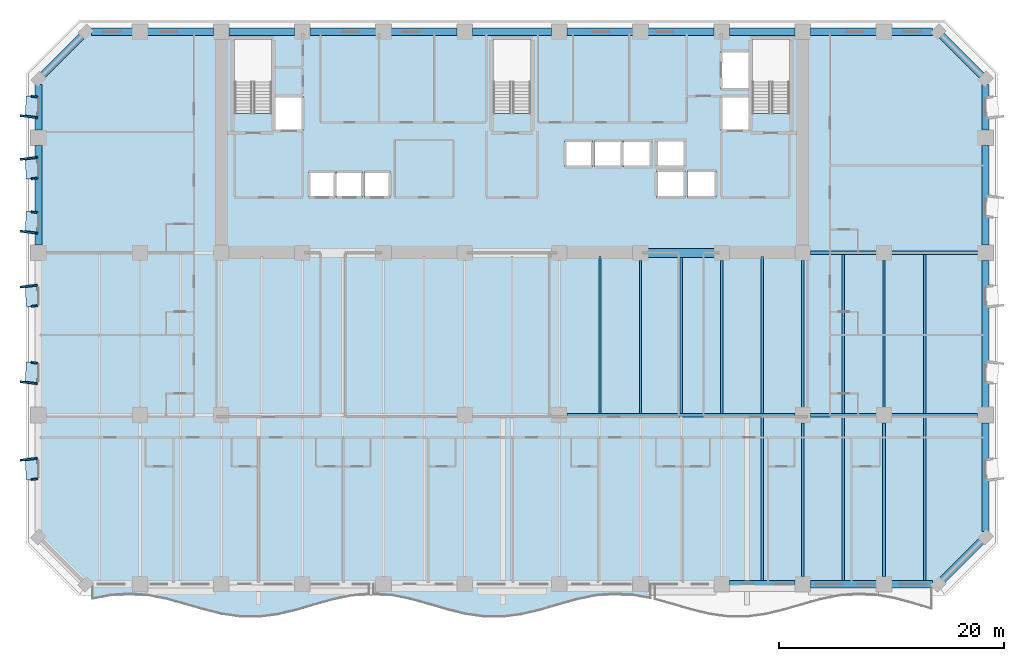
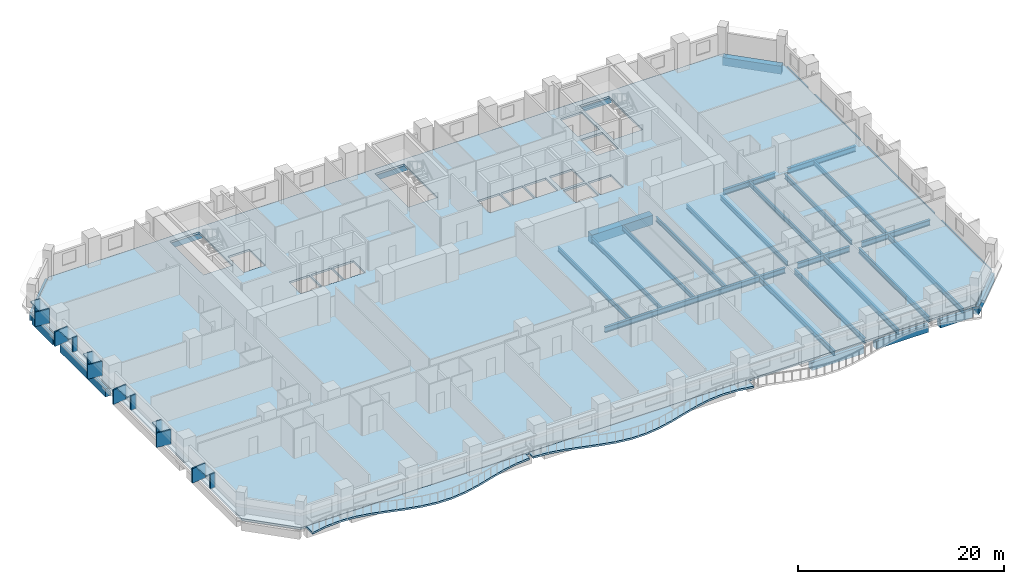
# One storey, part 2 of 15: 43 beams, 18 plates, 3 slabs.
"""IFC4 building model written with IfcOpenShell, lengths in metres."""

from ifc_helpers import new_model, si_unit, direction, frame, origin, origin_2d, place, context, subcontext, project, spatial, polyline, rectangle, i_section, outline, extrude, material, layer, layer_set, material_profile, profile_set, type_object, element, save


model = new_model("IFC4")

# Units and contexts
model_context = context("Model", 3, precision=1e-05, world=origin(), true_north=direction((0.0, 1.0)))
body_context = subcontext(model_context, "Body", "Model", "MODEL_VIEW")
ifc_project = project(units=[si_unit("LENGTHUNIT", "METRE"), si_unit("AREAUNIT", "SQUARE_METRE"), si_unit("VOLUMEUNIT", "CUBIC_METRE"), si_unit("PLANEANGLEUNIT", "RADIAN"), si_unit("MASSUNIT", "GRAM", prefix="KILO")], contexts=[model_context])

# Site, building, storey
site_placement = place(None, origin())
site = spatial("IfcSite", under=ifc_project, at=site_placement, CompositionType="ELEMENT")
building_placement = place(site_placement, origin())
building = spatial("IfcBuilding", under=site, at=building_placement, Name="Kaelvorn Grand Hotel", CompositionType="ELEMENT")
storey_placement = place(building_placement, frame((0.0, 0.0, 68.89990234375)))
storey = spatial("IfcBuildingStorey", under=building, at=storey_placement, Name="L15", CompositionType="ELEMENT", Elevation=68.89990234375)

# Beams
ifc_material_1 = material(Name="Steel S355", Category="steel")
ifc_material_profile_1 = material_profile(ifc_material_1, i_section(OverallWidth=0.300048828125, OverallDepth=0.64990234375, WebThickness=0.01611328125, FlangeThickness=0.031005859375, FilletRadius=0.027099609375, at=origin_2d()), Name="HEB 650")
ifc_profile_set_1 = profile_set([ifc_material_profile_1], Name="Steel S355")
beam_type_1 = type_object("IfcBeamType", Name="BM-G-HEB650-S355", PredefinedType="BEAM", material=ifc_profile_set_1)
beam_1_placement = place(storey_placement, frame((46.885009765625, 15.0, -0.56494140625), z_axis=(1.0, 0.0, 0.0), x_axis=(0.0, 1.0, 0.0)))
element("IfcBeam", 1, at=beam_1_placement, inside=storey, type_object=beam_type_1, Name="L15 Primary Spine Steel Girder G-15 05", PredefinedType="BEAM", context=body_context, shape_type="SweptSolid", body=[
    extrude(i_section(OverallWidth=0.300048828125, OverallDepth=0.64990234375, WebThickness=0.01611328125, FlangeThickness=0.031005859375, FilletRadius=0.027099609375, at=origin_2d()), origin(), (0.0, 0.0, 1.0), 20.22998046875),
])
beam_2_placement = place(storey_placement, frame((68.485107421875, 15.0, -0.56494140625), z_axis=(1.0, 0.0, 0.0), x_axis=(0.0, 1.0, 0.0)))
element("IfcBeam", 2, at=beam_2_placement, inside=storey, type_object=beam_type_1, Name="L15 Primary Spine Steel Girder G-15 06", PredefinedType="BEAM", context=body_context, shape_type="SweptSolid", body=[
    extrude(i_section(OverallWidth=0.300048828125, OverallDepth=0.64990234375, WebThickness=0.01611328125, FlangeThickness=0.031005859375, FilletRadius=0.027099609375, at=origin_2d()), origin(), (0.0, 0.0, 1.0), 5.829833984375),
])
beam_3_placement = place(storey_placement, frame((75.68505859375, 15.0, -0.56494140625), z_axis=(1.0, 0.0, 0.0), x_axis=(0.0, 1.0, 0.0)))
element("IfcBeam", 3, at=beam_3_placement, inside=storey, type_object=beam_type_1, Name="L15 Primary Spine Steel Girder G-15 07", PredefinedType="BEAM", context=body_context, shape_type="SweptSolid", body=[
    extrude(i_section(OverallWidth=0.300048828125, OverallDepth=0.64990234375, WebThickness=0.01611328125, FlangeThickness=0.031005859375, FilletRadius=0.027099609375, at=origin_2d()), origin(), (0.0, 0.0, 1.0), 7.6298828125),
])
beam_4_placement = place(storey_placement, frame((68.485107421875, 29.39990234375, -0.56494140625), z_axis=(1.0, 0.0, 0.0), x_axis=(0.0, 1.0, 0.0)))
element("IfcBeam", 4, at=beam_4_placement, inside=storey, type_object=beam_type_1, Name="L15 East Core Wing Steel Girder G-29E 01", PredefinedType="BEAM", context=body_context, shape_type="SweptSolid", body=[
    extrude(i_section(OverallWidth=0.300048828125, OverallDepth=0.64990234375, WebThickness=0.01611328125, FlangeThickness=0.031005859375, FilletRadius=0.027099609375, at=origin_2d()), origin(), (0.0, 0.0, 1.0), 5.829833984375),
])
beam_5_placement = place(storey_placement, frame((75.68505859375, 29.39990234375, -0.56494140625), z_axis=(1.0, 0.0, 0.0), x_axis=(0.0, 1.0, 0.0)))
element("IfcBeam", 5, at=beam_5_placement, inside=storey, type_object=beam_type_1, Name="L15 East Core Wing Steel Girder G-29E 02", PredefinedType="BEAM", context=body_context, shape_type="SweptSolid", body=[
    extrude(i_section(OverallWidth=0.300048828125, OverallDepth=0.64990234375, WebThickness=0.01611328125, FlangeThickness=0.031005859375, FilletRadius=0.027099609375, at=origin_2d()), origin(), (0.0, 0.0, 1.0), 7.6298828125),
])
ifc_material_profile_2 = material_profile(ifc_material_1, i_section(OverallWidth=0.209228515625, OverallDepth=0.533203125, WebThickness=0.010009765625, FlangeThickness=0.015625, FilletRadius=0.0126953125, at=origin_2d()), Name="UB 533x210x92")
ifc_profile_set_2 = profile_set([ifc_material_profile_2], Name="Steel S355")
beam_type_2 = type_object("IfcBeamType", Name="BM-J-UB533-S355", PredefinedType="JOIST", material=ifc_profile_set_2)
beam_6_placement = place(storey_placement, frame((49.800048828125, 15.135009765625, -0.50634765625), z_axis=(0.0, 1.0, 0.0), x_axis=(-1.0, 0.0, 0.0)))
element("IfcBeam", 6, at=beam_6_placement, inside=storey, type_object=beam_type_2, Name="L15 Composite Floor Joist JM-14", PredefinedType="JOIST", context=body_context, shape_type="SweptSolid", body=[
    extrude(i_section(OverallWidth=0.209228515625, OverallDepth=0.533203125, WebThickness=0.010009765625, FlangeThickness=0.015625, FilletRadius=0.0126953125, at=origin_2d()), origin(), (0.0, 0.0, 1.0), 13.925048828125),
])
beam_7_placement = place(storey_placement, frame((53.39990234375, 15.135009765625, -0.50634765625), z_axis=(0.0, 1.0, 0.0), x_axis=(-1.0, 0.0, 0.0)))
element("IfcBeam", 7, at=beam_7_placement, inside=storey, type_object=beam_type_2, Name="L15 Composite Floor Joist JM-15", PredefinedType="JOIST", context=body_context, shape_type="SweptSolid", body=[
    extrude(i_section(OverallWidth=0.209228515625, OverallDepth=0.533203125, WebThickness=0.010009765625, FlangeThickness=0.015625, FilletRadius=0.0126953125, at=origin_2d()), origin(), (0.0, 0.0, 1.0), 13.580078125),
])
beam_8_placement = place(storey_placement, frame((57.0, 15.135009765625, -0.50634765625), z_axis=(0.0, 1.0, 0.0), x_axis=(-1.0, 0.0, 0.0)))
element("IfcBeam", 8, at=beam_8_placement, inside=storey, type_object=beam_type_2, Name="L15 Composite Floor Joist JM-16", PredefinedType="JOIST", context=body_context, shape_type="SweptSolid", body=[
    extrude(i_section(OverallWidth=0.209228515625, OverallDepth=0.533203125, WebThickness=0.010009765625, FlangeThickness=0.015625, FilletRadius=0.0126953125, at=origin_2d()), origin(), (0.0, 0.0, 1.0), 13.925048828125),
])
beam_9_placement = place(storey_placement, frame((60.60009765625, 15.135009765625, -0.50634765625), z_axis=(0.0, 1.0, 0.0), x_axis=(-1.0, 0.0, 0.0)))
element("IfcBeam", 9, at=beam_9_placement, inside=storey, type_object=beam_type_2, Name="L15 Composite Floor Joist JM-17", PredefinedType="JOIST", context=body_context, shape_type="SweptSolid", body=[
    extrude(i_section(OverallWidth=0.209228515625, OverallDepth=0.533203125, WebThickness=0.010009765625, FlangeThickness=0.015625, FilletRadius=0.0126953125, at=origin_2d()), origin(), (0.0, 0.0, 1.0), 13.580078125),
])
beam_10_placement = place(storey_placement, frame((64.199951171875, 15.135009765625, -0.50634765625), z_axis=(0.0, 1.0, 0.0), x_axis=(-1.0, 0.0, 0.0)))
element("IfcBeam", 10, at=beam_10_placement, inside=storey, type_object=beam_type_2, Name="L15 Composite Floor Joist JM-18", PredefinedType="JOIST", context=body_context, shape_type="SweptSolid", body=[
    extrude(i_section(OverallWidth=0.209228515625, OverallDepth=0.533203125, WebThickness=0.010009765625, FlangeThickness=0.015625, FilletRadius=0.0126953125, at=origin_2d()), origin(), (0.0, 0.0, 1.0), 13.925048828125),
])
beam_11_placement = place(storey_placement, frame((67.800048828125, 15.68505859375, -0.50634765625), z_axis=(0.0, 1.0, 0.0), x_axis=(-1.0, 0.0, 0.0)))
element("IfcBeam", 11, at=beam_11_placement, inside=storey, type_object=beam_type_2, Name="L15 Composite Floor Joist JM-19", PredefinedType="JOIST", context=body_context, shape_type="SweptSolid", body=[
    extrude(i_section(OverallWidth=0.209228515625, OverallDepth=0.533203125, WebThickness=0.010009765625, FlangeThickness=0.015625, FilletRadius=0.0126953125, at=origin_2d()), origin(), (0.0, 0.0, 1.0), 13.030029296875),
])
beam_12_placement = place(storey_placement, frame((71.39990234375, 15.135009765625, -0.50634765625), z_axis=(0.0, 1.0, 0.0), x_axis=(-1.0, 0.0, 0.0)))
element("IfcBeam", 12, at=beam_12_placement, inside=storey, type_object=beam_type_2, Name="L15 Composite Floor Joist JM-20", PredefinedType="JOIST", context=body_context, shape_type="SweptSolid", body=[
    extrude(i_section(OverallWidth=0.209228515625, OverallDepth=0.533203125, WebThickness=0.010009765625, FlangeThickness=0.015625, FilletRadius=0.0126953125, at=origin_2d()), origin(), (0.0, 0.0, 1.0), 14.1298828125),
])
beam_13_placement = place(storey_placement, frame((75.0, 15.68505859375, -0.50634765625), z_axis=(0.0, 1.0, 0.0), x_axis=(-1.0, 0.0, 0.0)))
element("IfcBeam", 13, at=beam_13_placement, inside=storey, type_object=beam_type_2, Name="L15 Composite Floor Joist JM-21", PredefinedType="JOIST", context=body_context, shape_type="SweptSolid", body=[
    extrude(i_section(OverallWidth=0.209228515625, OverallDepth=0.533203125, WebThickness=0.010009765625, FlangeThickness=0.015625, FilletRadius=0.0126953125, at=origin_2d()), origin(), (0.0, 0.0, 1.0), 13.030029296875),
])
beam_14_placement = place(storey_placement, frame((78.60009765625, 15.135009765625, -0.50634765625), z_axis=(0.0, 1.0, 0.0), x_axis=(-1.0, 0.0, 0.0)))
element("IfcBeam", 14, at=beam_14_placement, inside=storey, type_object=beam_type_2, Name="L15 Composite Floor Joist JM-22", PredefinedType="JOIST", context=body_context, shape_type="SweptSolid", body=[
    extrude(i_section(OverallWidth=0.209228515625, OverallDepth=0.533203125, WebThickness=0.010009765625, FlangeThickness=0.015625, FilletRadius=0.0126953125, at=origin_2d()), origin(), (0.0, 0.0, 1.0), 14.1298828125),
])
ifc_material_profile_3 = material_profile(ifc_material_1, i_section(OverallWidth=0.22900390625, OverallDepth=0.6123046875, WebThickness=0.011962890625, FlangeThickness=0.01953125, FilletRadius=0.0126953125, at=origin_2d()), Name="UB 610x229x125")
ifc_profile_set_3 = profile_set([ifc_material_profile_3], Name="Steel S355")
beam_type_3 = type_object("IfcBeamType", Name="BM-J-UB610-S355", PredefinedType="JOIST", material=ifc_profile_set_3)
beam_15_placement = place(storey_placement, frame((64.199951171875, 0.31005859375, -0.5458984375), z_axis=(0.0, 1.0, 0.0), x_axis=(-1.0, 0.0, 0.0)))
element("IfcBeam", 15, at=beam_15_placement, inside=storey, type_object=beam_type_3, Name="L15 Composite Floor Joist JS-18", PredefinedType="JOIST", context=body_context, shape_type="SweptSolid", body=[
    extrude(i_section(OverallWidth=0.22900390625, OverallDepth=0.6123046875, WebThickness=0.011962890625, FlangeThickness=0.01953125, FilletRadius=0.0126953125, at=origin_2d()), origin(), (0.0, 0.0, 1.0), 14.554931640625),
])
beam_16_placement = place(storey_placement, frame((67.800048828125, 0.68505859375, -0.5458984375), z_axis=(0.0, 1.0, 0.0), x_axis=(-1.0, 0.0, 0.0)))
element("IfcBeam", 16, at=beam_16_placement, inside=storey, type_object=beam_type_3, Name="L15 Composite Floor Joist JS-19", PredefinedType="JOIST", context=body_context, shape_type="SweptSolid", body=[
    extrude(i_section(OverallWidth=0.22900390625, OverallDepth=0.6123046875, WebThickness=0.011962890625, FlangeThickness=0.01953125, FilletRadius=0.0126953125, at=origin_2d()), origin(), (0.0, 0.0, 1.0), 13.6298828125),
])
beam_17_placement = place(storey_placement, frame((71.39990234375, 0.31005859375, -0.5458984375), z_axis=(0.0, 1.0, 0.0), x_axis=(-1.0, 0.0, 0.0)))
element("IfcBeam", 17, at=beam_17_placement, inside=storey, type_object=beam_type_3, Name="L15 Composite Floor Joist JS-20", PredefinedType="JOIST", context=body_context, shape_type="SweptSolid", body=[
    extrude(i_section(OverallWidth=0.22900390625, OverallDepth=0.6123046875, WebThickness=0.011962890625, FlangeThickness=0.01953125, FilletRadius=0.0126953125, at=origin_2d()), origin(), (0.0, 0.0, 1.0), 14.554931640625),
])
beam_18_placement = place(storey_placement, frame((75.0, 0.68505859375, -0.5458984375), z_axis=(0.0, 1.0, 0.0), x_axis=(-1.0, 0.0, 0.0)))
element("IfcBeam", 18, at=beam_18_placement, inside=storey, type_object=beam_type_3, Name="L15 Composite Floor Joist JS-21", PredefinedType="JOIST", context=body_context, shape_type="SweptSolid", body=[
    extrude(i_section(OverallWidth=0.22900390625, OverallDepth=0.6123046875, WebThickness=0.011962890625, FlangeThickness=0.01953125, FilletRadius=0.0126953125, at=origin_2d()), origin(), (0.0, 0.0, 1.0), 13.6298828125),
])
beam_19_placement = place(storey_placement, frame((78.60009765625, 0.31005859375, -0.5458984375), z_axis=(0.0, 1.0, 0.0), x_axis=(-1.0, 0.0, 0.0)))
element("IfcBeam", 19, at=beam_19_placement, inside=storey, type_object=beam_type_3, Name="L15 Composite Floor Joist JS-22", PredefinedType="JOIST", context=body_context, shape_type="SweptSolid", body=[
    extrude(i_section(OverallWidth=0.22900390625, OverallDepth=0.6123046875, WebThickness=0.011962890625, FlangeThickness=0.01953125, FilletRadius=0.0126953125, at=origin_2d()), origin(), (0.0, 0.0, 1.0), 14.554931640625),
])
ifc_material_2 = material(Name="Concrete C60/75", Category="concrete")
ifc_material_profile_4 = material_profile(ifc_material_2, rectangle(XDim=0.800048828125, YDim=1.10009765625, at=origin_2d()), Name="RC LINTEL 800x1100")
ifc_profile_set_4 = profile_set([ifc_material_profile_4], Name="Concrete C60/75")
beam_type_4 = type_object("IfcBeamType", Name="BM-LIN-800x1100-C60", PredefinedType="LINTEL", material=ifc_profile_set_4)
beam_20_placement = place(storey_placement, frame((53.580078125, 29.39990234375, -0.789794921875), z_axis=(1.0, 0.0, 0.0), x_axis=(0.0, 1.0, 0.0)))
element("IfcBeam", 20, at=beam_20_placement, inside=storey, type_object=beam_type_4, Name="L15 Rear-Core Coupling Lintel Beam CB1-03", PredefinedType="LINTEL", context=body_context, shape_type="SweptSolid", body=[
    extrude(rectangle(XDim=0.800048828125, YDim=1.10009765625, at=origin_2d()), origin(), (0.0, 0.0, 1.0), 6.83984375),
])
ifc_material_profile_5 = material_profile(ifc_material_2, rectangle(XDim=0.64990234375, YDim=0.949951171875, at=origin_2d()), Name="RC SPANDREL 650x950")
ifc_profile_set_5 = profile_set([ifc_material_profile_5], Name="Concrete C60/75")
beam_type_5 = type_object("IfcBeamType", Name="BM-SP-650x950-C60", PredefinedType="SPANDREL", material=ifc_profile_set_5)
beam_21_placement = place(storey_placement, frame((61.284912109375, 0.0, -0.71484375), z_axis=(1.0, 0.0, 0.0), x_axis=(0.0, 1.0, 0.0)))
element("IfcBeam", 21, at=beam_21_placement, inside=storey, type_object=beam_type_5, Name="L15 South Perimeter Spandrel 09", PredefinedType="SPANDREL", context=body_context, shape_type="SweptSolid", body=[
    extrude(rectangle(XDim=0.64990234375, YDim=0.949951171875, at=origin_2d()), origin(), (0.0, 0.0, 1.0), 5.830078125),
])
beam_22_placement = place(storey_placement, frame((68.485107421875, 0.0, -0.71484375), z_axis=(1.0, 0.0, 0.0), x_axis=(0.0, 1.0, 0.0)))
element("IfcBeam", 22, at=beam_22_placement, inside=storey, type_object=beam_type_5, Name="L15 South Perimeter Spandrel 10", PredefinedType="SPANDREL", context=body_context, shape_type="SweptSolid", body=[
    extrude(rectangle(XDim=0.64990234375, YDim=0.949951171875, at=origin_2d()), origin(), (0.0, 0.0, 1.0), 5.829833984375),
])
for number, where, z_axis, x_axis, name in (
    (23, (75.68505859375, 0.0, -0.71484375), (1.0, 0.0, 0.0), (0.0, 1.0, 0.0), "L15 South Perimeter Spandrel 11"),
    (24, (4.68505859375, 49.0, -0.71484375), (1.0, 0.0, 0.0), (0.0, 1.0, 0.0), "L15 North Perimeter Spandrel 01"),
):
    element("IfcBeam", number, at=place(storey_placement, frame(where, z_axis=z_axis, x_axis=x_axis)), inside=storey, type_object=beam_type_5, Name=name, PredefinedType="SPANDREL", context=body_context, shape_type="SweptSolid", body=[
        extrude(rectangle(XDim=0.64990234375, YDim=0.949951171875, at=origin_2d()), origin(), (0.0, 0.0, 1.0), 3.6298828125),
    ])
beam_23_placement = place(storey_placement, frame((9.68505859375, 49.0, -0.71484375), z_axis=(1.0, 0.0, 0.0), x_axis=(0.0, 1.0, 0.0)))
element("IfcBeam", 25, at=beam_23_placement, inside=storey, type_object=beam_type_5, Name="L15 North Perimeter Spandrel 02", PredefinedType="SPANDREL", context=body_context, shape_type="SweptSolid", body=[
    extrude(rectangle(XDim=0.64990234375, YDim=0.949951171875, at=origin_2d()), origin(), (0.0, 0.0, 1.0), 5.829833984375),
])
for number, where, z_axis, x_axis, name in (
    (26, (16.885009765625, 49.0, -0.71484375), (1.0, 0.0, 0.0), (0.0, 1.0, 0.0), "L15 North Perimeter Spandrel 03"),
    (27, (24.0849609375, 49.0, -0.71484375), (1.0, 0.0, 0.0), (0.0, 1.0, 0.0), "L15 North Perimeter Spandrel 04"),
    (28, (31.284912109375, 49.0, -0.71484375), (1.0, 0.0, 0.0), (0.0, 1.0, 0.0), "L15 North Perimeter Spandrel 05"),
):
    element("IfcBeam", number, at=place(storey_placement, frame(where, z_axis=z_axis, x_axis=x_axis)), inside=storey, type_object=beam_type_5, Name=name, PredefinedType="SPANDREL", context=body_context, shape_type="SweptSolid", body=[
        extrude(rectangle(XDim=0.64990234375, YDim=0.949951171875, at=origin_2d()), origin(), (0.0, 0.0, 1.0), 5.830078125),
    ])
beam_24_placement = place(storey_placement, frame((38.485107421875, 49.0, -0.71484375), z_axis=(1.0, 0.0, 0.0), x_axis=(0.0, 1.0, 0.0)))
element("IfcBeam", 29, at=beam_24_placement, inside=storey, type_object=beam_type_5, Name="L15 North Perimeter Spandrel 06", PredefinedType="SPANDREL", context=body_context, shape_type="SweptSolid", body=[
    extrude(rectangle(XDim=0.64990234375, YDim=0.949951171875, at=origin_2d()), origin(), (0.0, 0.0, 1.0), 7.02978515625),
])
for number, where, z_axis, x_axis, name in (
    (30, (46.885009765625, 49.0, -0.71484375), (1.0, 0.0, 0.0), (0.0, 1.0, 0.0), "L15 North Perimeter Spandrel 07"),
    (31, (54.0849609375, 49.0, -0.71484375), (1.0, 0.0, 0.0), (0.0, 1.0, 0.0), "L15 North Perimeter Spandrel 08"),
    (32, (61.284912109375, 49.0, -0.71484375), (1.0, 0.0, 0.0), (0.0, 1.0, 0.0), "L15 North Perimeter Spandrel 09"),
):
    element("IfcBeam", number, at=place(storey_placement, frame(where, z_axis=z_axis, x_axis=x_axis)), inside=storey, type_object=beam_type_5, Name=name, PredefinedType="SPANDREL", context=body_context, shape_type="SweptSolid", body=[
        extrude(rectangle(XDim=0.64990234375, YDim=0.949951171875, at=origin_2d()), origin(), (0.0, 0.0, 1.0), 5.830078125),
    ])
beam_25_placement = place(storey_placement, frame((68.485107421875, 49.0, -0.71484375), z_axis=(1.0, 0.0, 0.0), x_axis=(0.0, 1.0, 0.0)))
element("IfcBeam", 33, at=beam_25_placement, inside=storey, type_object=beam_type_5, Name="L15 North Perimeter Spandrel 10", PredefinedType="SPANDREL", context=body_context, shape_type="SweptSolid", body=[
    extrude(rectangle(XDim=0.64990234375, YDim=0.949951171875, at=origin_2d()), origin(), (0.0, 0.0, 1.0), 5.829833984375),
])
beam_26_placement = place(storey_placement, frame((75.68505859375, 49.0, -0.71484375), z_axis=(1.0, 0.0, 0.0), x_axis=(0.0, 1.0, 0.0)))
element("IfcBeam", 34, at=beam_26_placement, inside=storey, type_object=beam_type_5, Name="L15 North Perimeter Spandrel 11", PredefinedType="SPANDREL", context=body_context, shape_type="SweptSolid", body=[
    extrude(rectangle(XDim=0.64990234375, YDim=0.949951171875, at=origin_2d()), origin(), (0.0, 0.0, 1.0), 3.6298828125),
])
beam_27_placement = place(storey_placement, frame((0.0, 30.0849609375, -0.71484375), z_axis=(0.0, 1.0, 0.0), x_axis=(-1.0, 0.0, 0.0)))
element("IfcBeam", 35, at=beam_27_placement, inside=storey, type_object=beam_type_5, Name="L15 West Perimeter Spandrel 03", PredefinedType="SPANDREL", context=body_context, shape_type="SweptSolid", body=[
    extrude(rectangle(XDim=0.64990234375, YDim=0.949951171875, at=origin_2d()), origin(), (0.0, 0.0, 1.0), 8.830078125),
])
beam_28_placement = place(storey_placement, frame((0.0, 40.284912109375, -0.71484375), z_axis=(0.0, 1.0, 0.0), x_axis=(-1.0, 0.0, 0.0)))
element("IfcBeam", 36, at=beam_28_placement, inside=storey, type_object=beam_type_5, Name="L15 West Perimeter Spandrel 04", PredefinedType="SPANDREL", context=body_context, shape_type="SweptSolid", body=[
    extrude(rectangle(XDim=0.64990234375, YDim=0.949951171875, at=origin_2d()), origin(), (0.0, 0.0, 1.0), 4.030029296875),
])
beam_29_placement = place(storey_placement, frame((84.0, 4.68505859375, -0.71484375), z_axis=(0.0, 1.0, 0.0), x_axis=(-1.0, 0.0, 0.0)))
element("IfcBeam", 37, at=beam_29_placement, inside=storey, type_object=beam_type_5, Name="L15 East Perimeter Spandrel 01", PredefinedType="SPANDREL", context=body_context, shape_type="SweptSolid", body=[
    extrude(rectangle(XDim=0.64990234375, YDim=0.949951171875, at=origin_2d()), origin(), (0.0, 0.0, 1.0), 9.6298828125),
])
beam_30_placement = place(storey_placement, frame((84.0, 15.68505859375, -0.71484375), z_axis=(0.0, 1.0, 0.0), x_axis=(-1.0, 0.0, 0.0)))
element("IfcBeam", 38, at=beam_30_placement, inside=storey, type_object=beam_type_5, Name="L15 East Perimeter Spandrel 02", PredefinedType="SPANDREL", context=body_context, shape_type="SweptSolid", body=[
    extrude(rectangle(XDim=0.64990234375, YDim=0.949951171875, at=origin_2d()), origin(), (0.0, 0.0, 1.0), 13.030029296875),
])
beam_31_placement = place(storey_placement, frame((84.0, 30.0849609375, -0.71484375), z_axis=(0.0, 1.0, 0.0), x_axis=(-1.0, 0.0, 0.0)))
element("IfcBeam", 39, at=beam_31_placement, inside=storey, type_object=beam_type_5, Name="L15 East Perimeter Spandrel 03", PredefinedType="SPANDREL", context=body_context, shape_type="SweptSolid", body=[
    extrude(rectangle(XDim=0.64990234375, YDim=0.949951171875, at=origin_2d()), origin(), (0.0, 0.0, 1.0), 8.830078125),
])
beam_32_placement = place(storey_placement, frame((84.0, 40.284912109375, -0.71484375), z_axis=(0.0, 1.0, 0.0), x_axis=(-1.0, 0.0, 0.0)))
element("IfcBeam", 40, at=beam_32_placement, inside=storey, type_object=beam_type_5, Name="L15 East Perimeter Spandrel 04", PredefinedType="SPANDREL", context=body_context, shape_type="SweptSolid", body=[
    extrude(rectangle(XDim=0.64990234375, YDim=0.949951171875, at=origin_2d()), origin(), (0.0, 0.0, 1.0), 4.030029296875),
])
for number, where, z_axis, x_axis, name in (
    (41, (79.800048828125, 0.0, -0.71484375), (0.707106781187, 0.707106781187, 0.0), (-0.707106781187, 0.707106781187, 0.0), "L15 Chamfer Spandrel Beam 1"),
    (42, (84.0, 44.800048828125, -0.71484375), (-0.707106781187, 0.707106781187, 0.0), (-0.707106781187, -0.707106781187, 0.0), "L15 Chamfer Spandrel Beam 2"),
    (43, (4.199951171875, 49.0, -0.71484375), (-0.707106781187, -0.707106781187, 0.0), (0.707106781187, -0.707106781187, 0.0), "L15 Chamfer Spandrel Beam 3"),
):
    element("IfcBeam", number, at=place(storey_placement, frame(where, z_axis=z_axis, x_axis=x_axis)), inside=storey, type_object=beam_type_5, Name=name, PredefinedType="SPANDREL", context=body_context, shape_type="SweptSolid", body=[
        extrude(rectangle(XDim=0.64990234375, YDim=0.949951171875, at=origin_2d()), origin(), (0.0, 0.0, 1.0), 5.939697265625),
    ])

# Plates
ifc_material_3 = material(Name="Precast concrete C45/55", Category="concrete")
ifc_layer_1 = layer(ifc_material_3, 0.159912109375)
ifc_layer_set_1 = layer_set([ifc_layer_1], Name="Precast concrete C45/55")
plate_type_1 = type_object("IfcPlateType", Name="PL-FRAME-DEEP-1550", PredefinedType="USERDEFINED", material=ifc_layer_set_1)
for number, where, z_axis, x_axis, name in (
    (44, (-0.864990234375, 11.090087890625, 0.68994140625), (0.0, 0.0, 1.0), (-0.121869343405, 0.992546151641, 0.0), "L15 Tilted Precast Window Frame Fin R-W01"),
    (45, (-0.864990234375, 17.8701171875, 0.68994140625), (0.0, 0.0, 1.0), (0.121869343405, 0.992546151641, 0.0), "L15 Tilted Precast Window Frame Fin L-W02"),
    (46, (-0.864990234375, 26.449951171875, 0.68994140625), (0.0, 0.0, 1.0), (-0.121869343405, 0.992546151641, 0.0), "L15 Tilted Precast Window Frame Fin R-W03"),
    (47, (-0.864990234375, 31.22509765625, 0.68994140625), (0.0, 0.0, 1.0), (0.121869343405, 0.992546151641, 0.0), "L15 Tilted Precast Window Frame Fin L-W04"),
    (48, (-0.864990234375, 37.77490234375, 0.68994140625), (0.0, 0.0, 1.0), (-0.121869343405, 0.992546151641, 0.0), "L15 Tilted Precast Window Frame Fin R-W05"),
    (49, (-0.864990234375, 41.47509765625, 0.68994140625), (0.0, 0.0, 1.0), (0.121869343405, 0.992546151641, 0.0), "L15 Tilted Precast Window Frame Fin L-W06"),
):
    element("IfcPlate", number, at=place(storey_placement, frame(where, z_axis=z_axis, x_axis=x_axis)), inside=storey, type_object=plate_type_1, Name=name, ObjectType="FLANGE_PLATE", PredefinedType="USERDEFINED", context=body_context, shape_type="SweptSolid", body=[
        extrude(rectangle(XDim=0.159912109375, YDim=1.550048828125, at=origin_2d()), origin(), (0.0, 0.0, 1.0), 1.719970703125),
    ])
ifc_layer_2 = layer(ifc_material_3, 0.159912109375)
ifc_layer_set_2 = layer_set([ifc_layer_2], Name="Precast concrete C45/55")
plate_type_2 = type_object("IfcPlateType", Name="PL-FRAME-HEAD-1050", PredefinedType="USERDEFINED", material=ifc_layer_set_2)
for number, where, z_axis, x_axis, name in (
    (50, (-0.614990234375, 10.199951171875, 2.25), (0.0, 0.0, 1.0), (-0.054950179912, 0.998489097451, 0.0), "L15 Precast Window Frame Head Hood H-W01"),
    (51, (-0.614990234375, 18.760009765625, 2.25), (0.0, 0.0, 1.0), (0.054950179912, 0.998489097451, 0.0), "L15 Precast Window Frame Head Hood H-W02"),
    (52, (-0.614990234375, 25.56005859375, 2.25), (0.0, 0.0, 1.0), (-0.054950179912, 0.998489097451, 0.0), "L15 Precast Window Frame Head Hood H-W03"),
    (53, (-0.614990234375, 32.114990234375, 2.25), (0.0, 0.0, 1.0), (0.054950179912, 0.998489097451, 0.0), "L15 Precast Window Frame Head Hood H-W04"),
    (54, (-0.614990234375, 36.885009765625, 2.25), (0.0, 0.0, 1.0), (-0.054950179912, 0.998489097451, 0.0), "L15 Precast Window Frame Head Hood H-W05"),
    (55, (-0.614990234375, 42.364990234375, 2.25), (0.0, 0.0, 1.0), (0.054950179912, 0.998489097451, 0.0), "L15 Precast Window Frame Head Hood H-W06"),
):
    element("IfcPlate", number, at=place(storey_placement, frame(where, z_axis=z_axis, x_axis=x_axis)), inside=storey, type_object=plate_type_2, Name=name, ObjectType="FLANGE_PLATE", PredefinedType="USERDEFINED", context=body_context, shape_type="SweptSolid", body=[
        extrude(rectangle(XDim=1.860107421875, YDim=1.050048828125, at=origin_2d()), origin(), (0.0, 0.0, 1.0), 0.159912109375),
    ])
ifc_layer_3 = layer(ifc_material_3, 0.159912109375)
ifc_layer_set_3 = layer_set([ifc_layer_3], Name="Precast concrete C45/55")
plate_type_3 = type_object("IfcPlateType", Name="PL-FRAME-SHAL-550", PredefinedType="USERDEFINED", material=ifc_layer_set_3)
for number, where, z_axis, x_axis, name in (
    (56, (-0.364990234375, 9.31005859375, 0.68994140625), (0.0, 0.0, 1.0), (-0.121869343405, 0.992546151641, 0.0), "L15 Tilted Precast Window Frame Fin L-W01"),
    (57, (-0.364990234375, 19.64990234375, 0.68994140625), (0.0, 0.0, 1.0), (0.121869343405, 0.992546151641, 0.0), "L15 Tilted Precast Window Frame Fin R-W02"),
    (58, (-0.364990234375, 24.669921875, 0.68994140625), (0.0, 0.0, 1.0), (-0.121869343405, 0.992546151641, 0.0), "L15 Tilted Precast Window Frame Fin L-W03"),
    (59, (-0.364990234375, 33.0048828125, 0.68994140625), (0.0, 0.0, 1.0), (0.121869343405, 0.992546151641, 0.0), "L15 Tilted Precast Window Frame Fin R-W04"),
    (60, (-0.364990234375, 35.9951171875, 0.68994140625), (0.0, 0.0, 1.0), (-0.121869343405, 0.992546151641, 0.0), "L15 Tilted Precast Window Frame Fin L-W05"),
    (61, (-0.364990234375, 43.2548828125, 0.68994140625), (0.0, 0.0, 1.0), (0.121869343405, 0.992546151641, 0.0), "L15 Tilted Precast Window Frame Fin R-W06"),
):
    element("IfcPlate", number, at=place(storey_placement, frame(where, z_axis=z_axis, x_axis=x_axis)), inside=storey, type_object=plate_type_3, Name=name, ObjectType="FLANGE_PLATE", PredefinedType="USERDEFINED", context=body_context, shape_type="SweptSolid", body=[
        extrude(rectangle(XDim=0.159912109375, YDim=0.550048828125, at=origin_2d()), origin(), (0.0, 0.0, 1.0), 1.719970703125),
    ])

# Slabs
ifc_material_4 = material(Name="Concrete C40/50", Category="concrete")
ifc_layer_4 = layer(ifc_material_4, 0.219970703125)
ifc_layer_set_4 = layer_set([ifc_layer_4], Name="Concrete C40/50")
slab_type_1 = type_object("IfcSlabType", Name="SLB-BALC-220-C40", PredefinedType="FLOOR", material=ifc_layer_set_4)
slab_1_placement = place(storey_placement, frame((0.0, 0.0, -0.219970703125)))
element("IfcSlab", 62, at=slab_1_placement, inside=storey, type_object=slab_type_1, Name="L15 Scalloped Wave Balcony Slab 1", PredefinedType="FLOOR", context=body_context, shape_type="SweptSolid", body=[
    extrude(outline(polyline([(4.800048828125, -1.2724609375), (6.435546875, -0.959716796875), (8.071044921875, -0.85009765625), (9.706787109375, -0.968017578125), (11.34228515625, -1.28759765625), (12.977783203125, -1.737548828125), (14.61328125, -2.218017578125), (16.248779296875, -2.622314453125), (17.884521484375, -2.860595703125), (19.52001953125, -2.880126953125), (21.155517578125, -2.676025390625), (22.791015625, -2.29443359375), (24.4267578125, -1.8193359375), (26.062255859375, -1.356689453125), (27.69775390625, -1.00927734375), (29.333251953125, -0.85400390625), (29.333251953125, 0.0), (4.800048828125, 0.0), (4.800048828125, -1.2724609375)])), origin(), (0.0, 0.0, 1.0), 0.219970703125),
])
slab_2_placement = place(storey_placement, frame((0.0, 0.0, -0.219970703125)))
element("IfcSlab", 63, at=slab_2_placement, inside=storey, type_object=slab_type_1, Name="L15 Scalloped Wave Balcony Slab 2", PredefinedType="FLOOR", context=body_context, shape_type="SweptSolid", body=[
    extrude(outline(polyline([(29.7333984375, -0.850341796875), (31.368896484375, -0.976806640625), (33.00439453125, -1.302978515625), (34.639892578125, -1.756103515625), (36.275634765625, -2.235595703125), (37.9111328125, -2.635009765625), (39.546630859375, -2.865478515625), (41.18212890625, -2.876220703125), (42.81787109375, -2.66455078125), (44.453369140625, -2.27734375), (46.0888671875, -1.80078125), (47.724365234375, -1.3408203125), (49.360107421875, -0.99951171875), (50.99560546875, -0.8525390625), (52.631103515625, -0.932861328125), (54.2666015625, -1.22216796875), (54.2666015625, 0.0), (29.7333984375, 0.0), (29.7333984375, -0.850341796875)])), origin(), (0.0, 0.0, 1.0), 0.219970703125),
])
ifc_layer_5 = layer(ifc_material_4, 0.239990234375)
ifc_layer_set_5 = layer_set([ifc_layer_5], Name="Concrete C40/50")
slab_type_2 = type_object("IfcSlabType", Name="SLB-FLR-240-C40", PredefinedType="FLOOR", material=ifc_layer_set_5)
slab_3_placement = place(storey_placement, frame((0.0, 0.0, -0.239990234375)))
element("IfcSlab", 64, at=slab_3_placement, inside=storey, type_object=slab_type_2, Name="L15 Indoor Suspended Floor Slab", PredefinedType="FLOOR", context=body_context, shape_type="SweptSolid", body=[
    extrude(outline(polyline([(4.199951171875, 0.0), (79.800048828125, 0.0), (84.0, 4.199951171875), (84.0, 44.800048828125), (79.800048828125, 49.0), (4.199951171875, 49.0), (0.0, 44.800048828125), (0.0, 4.199951171875), (4.199951171875, 0.0)]), holes=[polyline([(17.39990234375, 41.760009765625), (17.39990234375, 48.300048828125), (20.679931640625, 48.300048828125), (20.679931640625, 41.760009765625), (17.39990234375, 41.760009765625)]), polyline([(40.360107421875, 41.760009765625), (40.360107421875, 48.300048828125), (43.639892578125, 48.300048828125), (43.639892578125, 41.760009765625), (40.360107421875, 41.760009765625)]), polyline([(63.320068359375, 41.760009765625), (63.320068359375, 48.300048828125), (66.60009765625, 48.300048828125), (66.60009765625, 41.760009765625), (63.320068359375, 41.760009765625)]), polyline([(24.0, 34.300048828125), (24.0, 36.60009765625), (26.300048828125, 36.60009765625), (26.300048828125, 34.300048828125), (24.0, 34.300048828125)]), polyline([(26.449951171875, 34.300048828125), (26.449951171875, 36.60009765625), (28.75, 36.60009765625), (28.75, 34.300048828125), (26.449951171875, 34.300048828125)]), polyline([(28.89990234375, 34.300048828125), (28.89990234375, 36.60009765625), (31.199951171875, 36.60009765625), (31.199951171875, 34.300048828125), (28.89990234375, 34.300048828125)]), polyline([(46.699951171875, 37.0), (46.699951171875, 39.35009765625), (49.14990234375, 39.35009765625), (49.14990234375, 37.0), (46.699951171875, 37.0)]), polyline([(49.300048828125, 37.0), (49.300048828125, 39.35009765625), (51.75, 39.35009765625), (51.75, 37.0), (49.300048828125, 37.0)]), polyline([(51.89990234375, 37.0), (51.89990234375, 39.35009765625), (54.35009765625, 39.35009765625), (54.35009765625, 37.0), (51.89990234375, 37.0)]), polyline([(54.800048828125, 34.300048828125), (54.800048828125, 36.699951171875), (57.35009765625, 36.699951171875), (57.35009765625, 34.300048828125), (54.800048828125, 34.300048828125)]), polyline([(57.550048828125, 34.300048828125), (57.550048828125, 36.699951171875), (60.10009765625, 36.699951171875), (60.10009765625, 34.300048828125), (57.550048828125, 34.300048828125)]), polyline([(54.800048828125, 37.0), (54.800048828125, 39.39990234375), (57.35009765625, 39.39990234375), (57.35009765625, 37.0), (54.800048828125, 37.0)]), polyline([(21.0, 40.199951171875), (21.0, 43.300048828125), (23.449951171875, 43.300048828125), (23.449951171875, 40.199951171875), (21.0, 40.199951171875)]), polyline([(60.550048828125, 40.199951171875), (60.550048828125, 43.300048828125), (63.0, 43.300048828125), (63.0, 40.199951171875), (60.550048828125, 40.199951171875)]), polyline([(60.550048828125, 43.89990234375), (60.550048828125, 47.300048828125), (63.0, 47.300048828125), (63.0, 43.89990234375), (60.550048828125, 43.89990234375)])]), origin(), (0.0, 0.0, 1.0), 0.239990234375),
])

save(model, "model.ifc")
